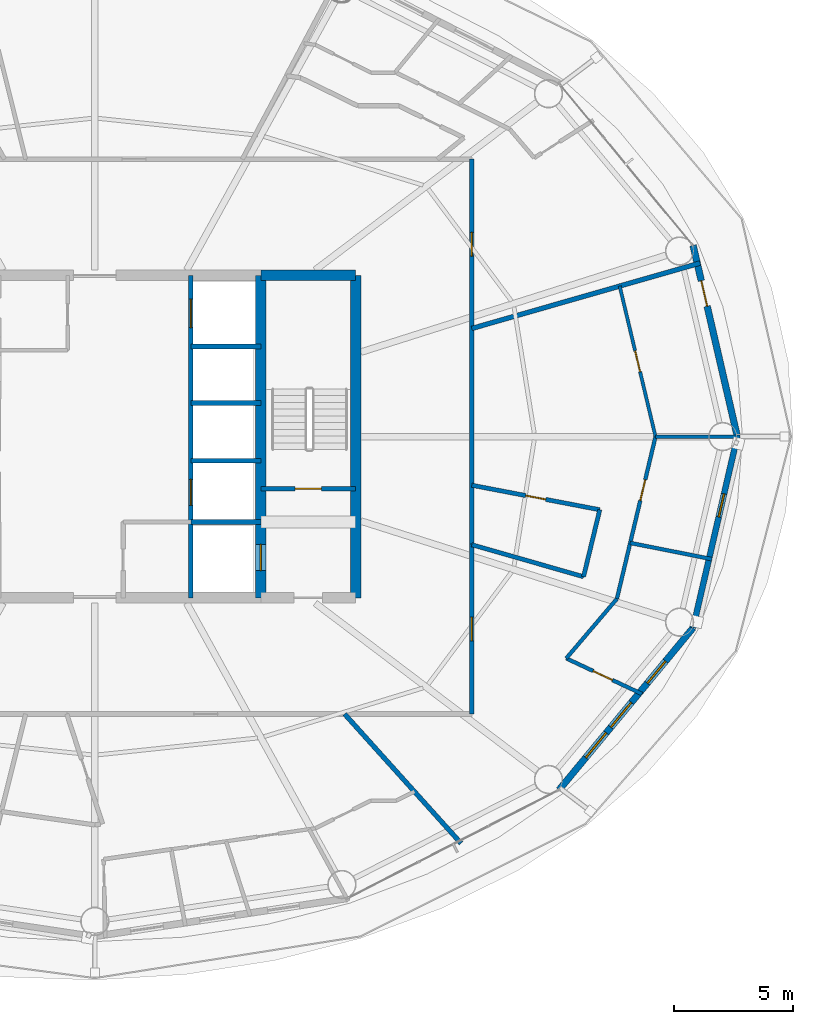
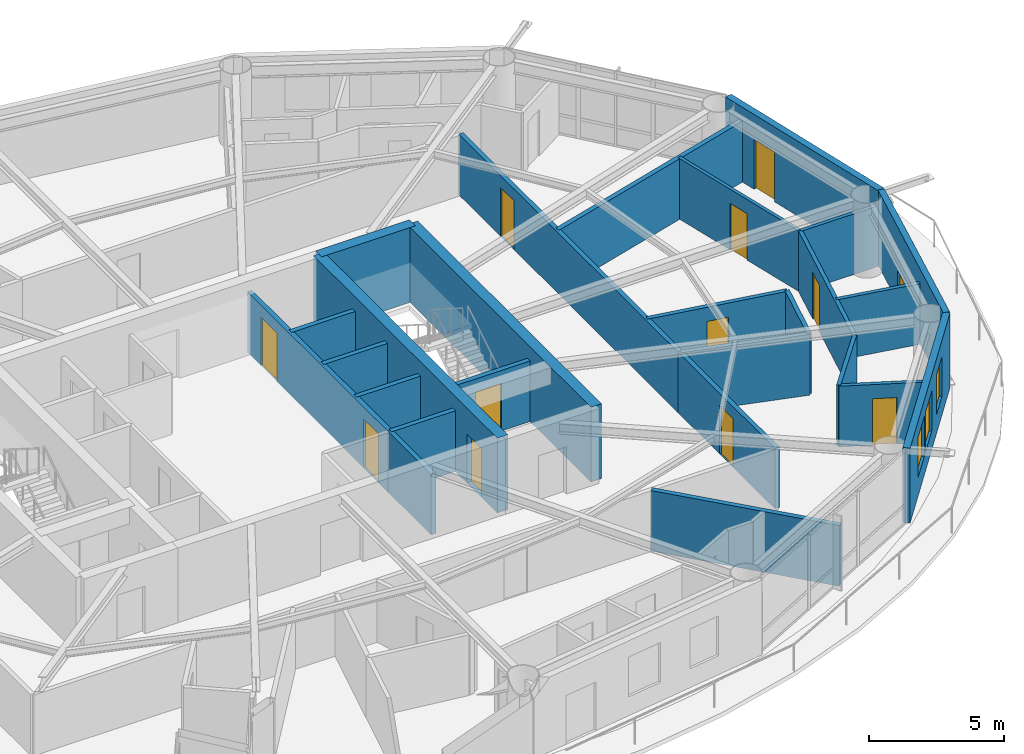
# One storey, part 23 of 28: 26 walls, 11 doors, 4 windows, 15 openings.
"""IFC4 building model written with IfcOpenShell, lengths in metres."""

import ifcopenshell
import ifcopenshell.guid

model = None  # the IFC model being written
_history = None  # IfcOwnerHistory: only IFC2X3 demands one
_inside = {}  # id of a spatial element -> (the spatial element, [elements in it])
_under = {}  # id of a project, library or spatial element -> (it, [spatial elements below it])
_declared = {}  # id of a project -> (the project, [libraries it declares])
_typed = {}  # id of a type object -> (the type object, [elements of that type])
_made_of = {}  # id of a material, layer set ... -> (it, [elements and type objects made of it])


def new_model(schema):
    """Start an empty IFC model of exactly this schema.

    Asked for "IFC4X3", IfcOpenShell would pick the latest addendum, in which some entities
    have other attributes; the version numbers below select the first issue.
    IFC2X3 requires an IfcOwnerHistory on every rooted entity: one is made here for all.
    """
    global model, _history
    if schema == "IFC4X3":
        model = ifcopenshell.file(schema_version=(4, 3, 0, 0))
    else:
        model = ifcopenshell.file(schema=schema)
    _inside.clear()
    _under.clear()
    _declared.clear()
    _typed.clear()
    _made_of.clear()
    _history = None
    if model.schema == "IFC2X3":
        org = make("IfcOrganization", Name="unknown")
        user = make(
            "IfcPersonAndOrganization",
            ThePerson=make("IfcPerson", FamilyName="unknown"),
            TheOrganization=org,
        )
        app = make(
            "IfcApplication",
            ApplicationDeveloper=org,
            Version="unknown",
            ApplicationFullName="unknown",
            ApplicationIdentifier="unknown",
        )
        _history = make(
            "IfcOwnerHistory",
            OwningUser=user,
            OwningApplication=app,
            ChangeAction="ADDED",
            CreationDate=0,
        )
    return model


def make(cls, **values):
    """One entity of the class cls with the attributes given. An attribute that is None is left unset."""
    return model.create_entity(
        cls, **{name: value for name, value in values.items() if value is not None}
    )


def rooted(cls, **values):
    """An entity with a GlobalId (a new one), such as an element, a storey or a relation."""
    return make(cls, GlobalId=ifcopenshell.guid.new(), OwnerHistory=_history, **values)


def si_unit(unit_type, name, prefix=None):
    """IfcSIUnit, for example si_unit("LENGTHUNIT", "METRE", prefix="MILLI")."""
    return make("IfcSIUnit", UnitType=unit_type, Prefix=prefix, Name=name)


def assignment(units):
    """IfcUnitAssignment: the units of a project."""
    return None if units is None else make("IfcUnitAssignment", Units=units)


def point(xyz):
    """IfcCartesianPoint."""
    return None if xyz is None else make("IfcCartesianPoint", Coordinates=xyz)


def direction(xyz):
    """IfcDirection."""
    return None if xyz is None else make("IfcDirection", DirectionRatios=xyz)


def frame(location, z_axis=None, x_axis=None):
    """IfcAxis2Placement3D, a coordinate frame: its origin and axes. An axis left out is left unset."""
    return make(
        "IfcAxis2Placement3D",
        Location=point(location),
        Axis=direction(z_axis),
        RefDirection=direction(x_axis),
    )


def frame_2d(location, x_axis=None):
    """IfcAxis2Placement2D, a coordinate frame in the plane: its origin and x axis."""
    return make(
        "IfcAxis2Placement2D", Location=point(location), RefDirection=direction(x_axis)
    )


def origin():
    """The frame at (0, 0, 0) with its axes left unset."""
    return frame((0.0, 0.0, 0.0))


def place(relative_to, where):
    """IfcLocalPlacement: puts the frame where relative to a parent placement (None: the world)."""
    return make(
        "IfcLocalPlacement", PlacementRelTo=relative_to, RelativePlacement=where
    )


def context(
    kind, dimensions, precision=None, world=None, true_north=None, identifier=None
):
    """IfcGeometricRepresentationContext, for example the 3D "Model" context."""
    return make(
        "IfcGeometricRepresentationContext",
        ContextIdentifier=identifier,
        ContextType=kind,
        CoordinateSpaceDimension=dimensions,
        Precision=precision,
        WorldCoordinateSystem=world,
        TrueNorth=true_north,
    )


def subcontext(parent, identifier, kind, view, scale=None):
    """IfcGeometricRepresentationSubContext, for example "Body" below "Model"."""
    return make(
        "IfcGeometricRepresentationSubContext",
        ContextIdentifier=identifier,
        ContextType=kind,
        ParentContext=parent,
        TargetScale=scale,
        TargetView=view,
    )


def project(units=None, contexts=None):
    """IfcProject with its units and contexts."""
    return rooted(
        "IfcProject",
        Name="project",
        RepresentationContexts=contexts,
        UnitsInContext=assignment(units),
    )


def spatial(cls, under=None, at=None, **own):
    """A site, building, storey or space (cls), placed at a placement, below another one or the project."""
    s = rooted(cls, ObjectPlacement=at, **own)
    if under is not None:
        _under.setdefault(under.id(), (under, []))[1].append(s)
    return s


def profile(cls, at=None, kind="AREA", **sizes):
    """A parametric profile (cls). Its sizes go by their IFC names, for example OverallWidth=200.0."""
    return make(cls, ProfileType=kind, Position=at, **sizes)


def rectangle(**sizes):
    """IfcRectangleProfileDef."""
    return profile("IfcRectangleProfileDef", **sizes)


def extrude(swept, where, along, depth):
    """IfcExtrudedAreaSolid: the profile swept, set in the frame where, extruded along a direction by depth."""
    return make(
        "IfcExtrudedAreaSolid",
        SweptArea=swept,
        Position=where,
        ExtrudedDirection=direction(along),
        Depth=depth,
    )


def shape(context_of_items, identifier, shape_type, items):
    """IfcShapeRepresentation: the items that make up one representation, for example the "Body"."""
    return make(
        "IfcShapeRepresentation",
        ContextOfItems=context_of_items,
        RepresentationIdentifier=identifier,
        RepresentationType=shape_type,
        Items=items,
    )


def material(Name=None, Category=None):
    """IfcMaterial."""
    return make("IfcMaterial", Name=Name, Category=Category)


def layer(
    of_material, thickness, ventilated=None, Name=None, Category=None, Priority=None
):
    """IfcMaterialLayer: one layer of a wall or slab, of a material (None: an air gap)."""
    return make(
        "IfcMaterialLayer",
        Material=of_material,
        LayerThickness=thickness,
        IsVentilated=ventilated,
        Name=Name,
        Category=Category,
        Priority=Priority,
    )


def layer_set(layers, Name=None):
    """IfcMaterialLayerSet."""
    return make("IfcMaterialLayerSet", MaterialLayers=layers, LayerSetName=Name)


def made_of(thing, what):
    """Note that an element or type object is made of a material, layer set ...; save() writes the relation."""
    if what is not None:
        _made_of.setdefault(what.id(), (what, []))[1].append(thing)
    return thing


def type_object(cls, material=None, **own):
    """A type object (cls), such as IfcWallType, which elements share."""
    return made_of(rooted(cls, **own), material)


def element(
    cls,
    number,
    at=None,
    inside=None,
    cuts=None,
    type_object=None,
    material=None,
    context=None,
    identifier="Body",
    shape_type=None,
    held_by="IfcProductDefinitionShape",
    body=None,
    shapes=None,
    **own,
):
    """One element of the class cls, such as IfcWall. Its Tag is "e" and its number.

    at: its placement. inside: the storey or other place that contains it. cuts: it is an
    opening in that element (IfcRelVoidsElement). A single representation is given by context,
    identifier, shape_type and body (its items); several are given by shapes. held_by: the class
    of the entity that holds the representations. save() writes the other relations.
    """
    e = rooted(cls, Tag="e%d" % number, ObjectPlacement=at, **own)
    if body is not None:
        shapes = [shape(context, identifier, shape_type, body)]
    if shapes is not None:
        e.Representation = make(held_by, Representations=shapes)
    if inside is not None:
        _inside.setdefault(inside.id(), (inside, []))[1].append(e)
    if cuts is not None:
        rooted(
            "IfcRelVoidsElement", RelatingBuildingElement=cuts, RelatedOpeningElement=e
        )
    if type_object is not None:
        _typed.setdefault(type_object.id(), (type_object, []))[1].append(e)
    return made_of(e, material)


def fill(opening, filler):
    """IfcRelFillsElement: the door or window that sits in an opening."""
    return rooted(
        "IfcRelFillsElement",
        RelatingOpeningElement=opening,
        RelatedBuildingElement=filler,
    )


def aggregate(whole, parts):
    """IfcRelAggregates: a whole, such as a stair, and the parts it consists of."""
    return rooted("IfcRelAggregates", RelatingObject=whole, RelatedObjects=parts)


def save(model, path):
    """Write the relations noted so far, then the file.

    IfcRelAggregates (storeys below a building ...), IfcRelContainedInSpatialStructure (elements
    in a storey), IfcRelDefinesByType, IfcRelAssociatesMaterial and IfcRelDeclares: one each for
    every whole, place, type object, material and project.
    """
    for whole, parts in _under.values():
        aggregate(whole, parts)
    for where, things in _inside.values():
        rooted(
            "IfcRelContainedInSpatialStructure",
            RelatedElements=things,
            RelatingStructure=where,
        )
    for kind, things in _typed.values():
        rooted("IfcRelDefinesByType", RelatedObjects=things, RelatingType=kind)
    for what, things in _made_of.values():
        rooted("IfcRelAssociatesMaterial", RelatedObjects=things, RelatingMaterial=what)
    for by, libraries in _declared.values():
        rooted("IfcRelDeclares", RelatingContext=by, RelatedDefinitions=libraries)
    model.write(path)


model = new_model("IFC4")

# Units and contexts
model_context = context("Model", 3, precision=1e-05, world=origin(), true_north=direction((0.0, 1.0)))
body_context = subcontext(model_context, "Body", "Model", "MODEL_VIEW")
ifc_project = project(units=[si_unit("LENGTHUNIT", "METRE"), si_unit("AREAUNIT", "SQUARE_METRE"), si_unit("VOLUMEUNIT", "CUBIC_METRE"), si_unit("PLANEANGLEUNIT", "RADIAN"), si_unit("MASSUNIT", "GRAM", prefix="KILO")], contexts=[model_context])

# Site, building, storey
site_placement = place(None, origin())
site = spatial("IfcSite", under=ifc_project, at=site_placement, CompositionType="ELEMENT")
building_placement = place(site_placement, origin())
building = spatial("IfcBuilding", under=site, at=building_placement, Name="Sarneth Arch Tower", CompositionType="ELEMENT")
storey_placement = place(building_placement, frame((0.0, 0.0, 183.0)))
storey = spatial("IfcBuildingStorey", under=building, at=storey_placement, Name="L46", CompositionType="ELEMENT", Elevation=183.0)

# Walls
ifc_material_1 = material(Name="Concrete C50/60", Category="concrete")
ifc_layer_1 = layer(ifc_material_1, 0.449951171875)
ifc_layer_set_1 = layer_set([ifc_layer_1], Name="Concrete C50/60")
wall_type_1 = type_object("IfcWallType", Name="WALL-CORE-450", PredefinedType="SHEAR", material=ifc_layer_set_1)
wall_1_placement = place(storey_placement, frame((55.0, 48.800048828125, 0.0), z_axis=(0.0, 0.0, 1.0), x_axis=(1.0, 0.0, 0.0)))
element("IfcWall", 1, at=wall_1_placement, inside=storey, type_object=wall_type_1, Name="L46 Core shear wall N-E", PredefinedType="SHEAR", context=body_context, shape_type="SweptSolid", body=[
    extrude(rectangle(XDim=4.0, YDim=0.449951171875, at=frame_2d((2.0, 0.0))), origin(), (0.0, 0.0, 1.0), 3.3798828125),
])
wall_2_placement = place(storey_placement, frame((59.0, 35.199951171875, 0.0), z_axis=(0.0, 0.0, 1.0), x_axis=(0.0, 1.0, 0.0)))
element("IfcWall", 2, at=wall_2_placement, inside=storey, type_object=wall_type_1, Name="L46 Core shear wall E", PredefinedType="SHEAR", context=body_context, shape_type="SweptSolid", body=[
    extrude(rectangle(XDim=13.60009765625, YDim=0.449951171875, at=frame_2d((6.800048828125, 0.0))), origin(), (0.0, 0.0, 1.0), 3.3798828125),
])

# Wall, opening, door
wall_3_placement = place(storey_placement, frame((55.0, 35.199951171875, 0.0), z_axis=(0.0, 0.0, 1.0), x_axis=(0.0, 1.0, 0.0)))
wall_3 = element("IfcWall", 3, at=wall_3_placement, inside=storey, type_object=wall_type_1, Name="L46 Core shear wall WEB-E", PredefinedType="SHEAR", context=body_context, shape_type="SweptSolid", body=[
    extrude(rectangle(XDim=13.60009765625, YDim=0.449951171875, at=frame_2d((6.800048828125, 0.0))), origin(), (0.0, 0.0, 1.0), 3.3798828125),
])
opening_1_placement = place(wall_3_placement, frame((1.14990234375, 0.0, 0.0)))
opening_1 = element("IfcOpeningElement", 4, at=opening_1_placement, cuts=wall_3, Name="Opening LD-1", PredefinedType="OPENING", context=body_context, shape_type="SweptSolid", body=[
    extrude(rectangle(XDim=1.10009765625, YDim=2.199951171875, at=frame_2d((0.550048828125, 1.10009765625))), frame((0.0, 0.23486328125, 0.0), z_axis=(0.0, -1.0, 0.0), x_axis=(1.0, 0.0, 0.0)), (0.0, 0.0, 1.0), 0.469970703125),
])
ifc_material_2 = material(Name="Brushed Stainless Steel 304 lift landing door", Category="steel")
door_type_1 = type_object("IfcDoorType", Name="DR-LIFT-SLIDE-1100", OperationType="SLIDING_TO_LEFT", PredefinedType="DOOR", material=ifc_material_2)
door_1_placement = place(opening_1_placement, origin())
door_1 = element("IfcDoor", 5, at=door_1_placement, inside=storey, type_object=door_type_1, Name="L46 Firefighting lift landing door FL-2", OperationType="SLIDING_TO_RIGHT", OverallHeight=2.199951171875, OverallWidth=1.10009765625, PredefinedType="DOOR", context=body_context, shape_type="SweptSolid", body=[
    extrude(rectangle(XDim=1.10009765625, YDim=2.199951171875, at=frame_2d((0.550048828125, 1.10009765625))), frame((0.0, 0.02490234375, 0.0), z_axis=(0.0, -1.0, 0.0), x_axis=(1.0, 0.0, 0.0)), (0.0, 0.0, 1.0), 0.050048828125),
])
fill(opening_1, door_1)

ifc_material_3 = material(Name="Double steel-stud corridor fire wall", Category="steel")
ifc_layer_2 = layer(ifc_material_3, 0.18994140625)
ifc_layer_set_2 = layer_set([ifc_layer_2], Name="Double steel-stud corridor fire wall")
wall_type_2 = type_object("IfcWallType", Name="WALL-CORR-190", PredefinedType="PARTITIONING", material=ifc_layer_set_2)
wall_4_placement = place(storey_placement, frame((63.89990234375, 53.699951171875, 0.0), z_axis=(0.0, 0.0, 1.0), x_axis=(0.0, -1.0, 0.0)))
wall_4 = element("IfcWall", 6, at=wall_4_placement, inside=storey, type_object=wall_type_2, Name="L46 Interior partition W-L46-TP-002", PredefinedType="PARTITIONING", context=body_context, shape_type="SweptSolid", body=[
    extrude(rectangle(XDim=16.29248046875, YDim=0.18994140625, at=frame_2d((8.146240234375, 0.0))), origin(), (0.0, 0.0, 1.0), 2.739990234375),
])
opening_2_placement = place(wall_4_placement, frame((3.0869140625, 0.0, 0.0)))
opening_2 = element("IfcOpeningElement", 7, at=opening_2_placement, cuts=wall_4, Name="Opening FD-08", PredefinedType="OPENING", context=body_context, shape_type="SweptSolid", body=[
    extrude(rectangle(XDim=1.0, YDim=2.199951171875, at=frame_2d((0.5, 1.10009765625))), frame((0.0, 0.10498046875, 0.0), z_axis=(0.0, -1.0, 0.0), x_axis=(1.0, 0.0, 0.0)), (0.0, 0.0, 1.0), 0.2099609375),
])
ifc_material_4 = material(Name="Hardwood timber acoustic fire door", Category="wood")
door_type_2 = type_object("IfcDoorType", Name="DR-FD60-1000", OperationType="SINGLE_SWING_LEFT", PredefinedType="DOOR", material=ifc_material_4)
door_2_placement = place(opening_2_placement, origin())
door_2 = element("IfcDoor", 8, at=door_2_placement, inside=storey, type_object=door_type_2, Name="L46 Interior door DR-L46-U1-ENT", OperationType="SINGLE_SWING_LEFT", OverallHeight=2.199951171875, OverallWidth=1.0, PredefinedType="DOOR", context=body_context, shape_type="SweptSolid", body=[
    extrude(rectangle(XDim=1.0, YDim=2.199951171875, at=frame_2d((0.5, 1.10009765625))), frame((0.0, 0.02490234375, 0.0), z_axis=(0.0, -1.0, 0.0), x_axis=(1.0, 0.0, 0.0)), (0.0, 0.0, 1.0), 0.050048828125),
])
fill(opening_2, door_2)

wall_5_placement = place(storey_placement, frame((63.89990234375, 37.47412109375, 0.0), z_axis=(0.0, 0.0, 1.0), x_axis=(0.0, -1.0, 0.0)))
wall_5 = element("IfcWall", 9, at=wall_5_placement, inside=storey, type_object=wall_type_2, Name="L46 Interior partition W-L46-TP-018", PredefinedType="PARTITIONING", context=body_context, shape_type="SweptSolid", body=[
    extrude(rectangle(XDim=7.174072265625, YDim=0.18994140625, at=frame_2d((3.5869140625, 0.0))), origin(), (0.0, 0.0, 1.0), 2.739990234375),
])
opening_3_placement = place(wall_5_placement, frame((3.0869140625, 0.0, 0.0)))
opening_3 = element("IfcOpeningElement", 10, at=opening_3_placement, cuts=wall_5, Name="Opening FD-08", PredefinedType="OPENING", context=body_context, shape_type="SweptSolid", body=[
    extrude(rectangle(XDim=1.0, YDim=2.199951171875, at=frame_2d((0.5, 1.10009765625))), frame((0.0, 0.10498046875, 0.0), z_axis=(0.0, -1.0, 0.0), x_axis=(1.0, 0.0, 0.0)), (0.0, 0.0, 1.0), 0.2099609375),
])
door_3_placement = place(opening_3_placement, origin())
door_3 = element("IfcDoor", 11, at=door_3_placement, inside=storey, type_object=door_type_2, Name="L46 Interior door DR-L46-U7-ENT", OperationType="SINGLE_SWING_RIGHT", OverallHeight=2.199951171875, OverallWidth=1.0, PredefinedType="DOOR", context=body_context, shape_type="SweptSolid", body=[
    extrude(rectangle(XDim=1.0, YDim=2.199951171875, at=frame_2d((0.5, 1.10009765625))), frame((0.0, 0.02490234375, 0.0), z_axis=(0.0, -1.0, 0.0), x_axis=(1.0, 0.0, 0.0)), (0.0, 0.0, 1.0), 0.050048828125),
])
fill(opening_3, door_3)

# Wall, opening, window
ifc_material_5 = material(Name="Extruded terracotta rainscreen on Concrete C40/50 backing", Category="masonry")
ifc_layer_3 = layer(ifc_material_5, 0.25)
ifc_layer_set_3 = layer_set([ifc_layer_3], Name="Extruded terracotta rainscreen on Concrete C40/50 backing")
wall_type_3 = type_object("IfcWallType", Name="WALL-EXT-SPAND-250", PredefinedType="SOLIDWALL", material=ifc_layer_set_3)
wall_6_placement = place(storey_placement, frame((73.232421875, 33.93310546875, 0.0), z_axis=(0.0, 0.0, 1.0), x_axis=(0.225473184558, 0.974249374157, 0.0)))
wall_6 = element("IfcWall", 12, at=wall_6_placement, inside=storey, type_object=wall_type_3, Name="L46 Terracotta perimeter wall 16", PredefinedType="SOLIDWALL", context=body_context, shape_type="SweptSolid", body=[
    extrude(rectangle(XDim=8.280029296875, YDim=0.25, at=frame_2d((4.14013671875, 0.0))), origin(), (0.0, 0.0, 1.0), 3.3798828125),
])
opening_4_placement = place(wall_6_placement, frame((4.80078125, 0.0, 0.35009765625)))
opening_4 = element("IfcOpeningElement", 13, at=opening_4_placement, cuts=wall_6, Name="Opening W-14", PredefinedType="OPENING", context=body_context, shape_type="SweptSolid", body=[
    extrude(rectangle(XDim=1.0, YDim=1.050048828125, at=frame_2d((0.5, 0.52490234375))), frame((0.0, 0.135009765625, 0.0), z_axis=(0.0, -1.0, 0.0), x_axis=(1.0, 0.0, 0.0)), (0.0, 0.0, 1.0), 0.27001953125),
])
ifc_material_6 = material(Name="Thermally broken Aluminium 6063-T6 and low-e laminated IGU", Category="aluminium")
window_type_1 = type_object("IfcWindowType", Name="WIN-TWR-1000x1050", PartitioningType="SINGLE_PANEL", PredefinedType="WINDOW", material=ifc_material_6)
window_1_placement = place(opening_4_placement, origin())
window_1 = element("IfcWindow", 14, at=window_1_placement, inside=storey, type_object=window_type_1, Name="L46 Dwelling bedroom window 04", OverallHeight=1.050048828125, OverallWidth=1.0, PartitioningType="SINGLE_PANEL", PredefinedType="WINDOW", context=body_context, shape_type="SweptSolid", body=[
    extrude(rectangle(XDim=1.0, YDim=1.050048828125, at=frame_2d((0.5, 0.52490234375))), frame((0.0, 0.030029296875, 0.0), z_axis=(0.0, -1.0, 0.0), x_axis=(1.0, 0.0, 0.0)), (0.0, 0.0, 1.0), 0.06005859375),
])
fill(opening_4, window_1)

# Wall, opening, door
ifc_material_7 = material(Name="Extruded terracotta rainscreen on Concrete C40/50 backing", Category="masonry")
ifc_layer_4 = layer(ifc_material_7, 0.280029296875)
ifc_layer_set_4 = layer_set([ifc_layer_4], Name="Extruded terracotta rainscreen on Concrete C40/50 backing")
wall_type_4 = type_object("IfcWallType", Name="WALL-EXT-TERRA-280", PredefinedType="SOLIDWALL", material=ifc_layer_set_4)
wall_7_placement = place(storey_placement, frame((75.099365234375, 42.0, 0.0), z_axis=(0.0, 0.0, 1.0), x_axis=(-0.225473184558, 0.974249374157, 0.0)))
wall_7 = element("IfcWall", 15, at=wall_7_placement, inside=storey, type_object=wall_type_4, Name="L46 Terracotta perimeter wall 01", PredefinedType="SOLIDWALL", context=body_context, shape_type="SweptSolid", body=[
    extrude(rectangle(XDim=8.280029296875, YDim=0.280029296875, at=frame_2d((4.14013671875, 0.0))), origin(), (0.0, 0.0, 1.0), 3.3798828125),
])
opening_5_placement = place(wall_7_placement, frame((5.643798828125, 0.0, 0.0)))
opening_5 = element("IfcOpeningElement", 16, at=opening_5_placement, cuts=wall_7, Name="Opening BD-3", PredefinedType="OPENING", context=body_context, shape_type="SweptSolid", body=[
    extrude(rectangle(XDim=1.10009765625, YDim=2.25, at=frame_2d((0.550048828125, 1.125))), frame((0.0, 0.14990234375, 0.0), z_axis=(0.0, -1.0, 0.0), x_axis=(1.0, 0.0, 0.0)), (0.0, 0.0, 1.0), 0.300048828125),
])
ifc_material_8 = material(Name="Thermally broken Aluminium 6063-T6 and laminated safety glass", Category="aluminium")
door_type_3 = type_object("IfcDoorType", Name="DR-BALC-GLZ-1100", OperationType="SINGLE_SWING_LEFT", PredefinedType="DOOR", material=ifc_material_8)
door_4_placement = place(opening_5_placement, origin())
door_4 = element("IfcDoor", 17, at=door_4_placement, inside=storey, type_object=door_type_3, Name="L46 Balcony glazed door 01", OperationType="SINGLE_SWING_LEFT", OverallHeight=2.25, OverallWidth=1.10009765625, PredefinedType="DOOR", context=body_context, shape_type="SweptSolid", body=[
    extrude(rectangle(XDim=1.10009765625, YDim=2.25, at=frame_2d((0.550048828125, 1.125))), frame((0.0, 0.02490234375, 0.0), z_axis=(0.0, -1.0, 0.0), x_axis=(1.0, 0.0, 0.0)), (0.0, 0.0, 1.0), 0.050048828125),
])
fill(opening_5, door_4)

# Wall, openings, windows
wall_8_placement = place(storey_placement, frame((67.576171875, 27.09423828125, 0.0), z_axis=(0.0, 0.0, 1.0), x_axis=(0.637333477683, 0.770588111915, 0.0)))
wall_8 = element("IfcWall", 18, at=wall_8_placement, inside=storey, type_object=wall_type_4, Name="L46 Terracotta perimeter wall 15", PredefinedType="SOLIDWALL", context=body_context, shape_type="SweptSolid", body=[
    extrude(rectangle(XDim=8.874755859375, YDim=0.280029296875, at=frame_2d((4.4375, 0.0))), origin(), (0.0, 0.0, 1.0), 3.3798828125),
])
opening_6_placement = place(wall_8_placement, frame((1.775146484375, 0.0, 0.85009765625)))
opening_6 = element("IfcOpeningElement", 19, at=opening_6_placement, cuts=wall_8, Name="Opening W-08", PredefinedType="OPENING", context=body_context, shape_type="SweptSolid", body=[
    extrude(rectangle(XDim=1.35009765625, YDim=1.800048828125, at=frame_2d((0.675048828125, 0.89990234375))), frame((0.0, 0.14990234375, 0.0), z_axis=(0.0, -1.0, 0.0), x_axis=(1.0, 0.0, 0.0)), (0.0, 0.0, 1.0), 0.300048828125),
])
opening_7_placement = place(wall_8_placement, frame((3.43896484375, 0.0, 0.85009765625)))
opening_7 = element("IfcOpeningElement", 20, at=opening_7_placement, cuts=wall_8, Name="Opening W-08", PredefinedType="OPENING", context=body_context, shape_type="SweptSolid", body=[
    extrude(rectangle(XDim=1.35009765625, YDim=1.800048828125, at=frame_2d((0.675048828125, 0.89990234375))), frame((0.0, 0.14990234375, 0.0), z_axis=(0.0, -1.0, 0.0), x_axis=(1.0, 0.0, 0.0)), (0.0, 0.0, 1.0), 0.300048828125),
])
opening_8_placement = place(wall_8_placement, frame((5.85009765625, 0.0, 0.85009765625)))
opening_8 = element("IfcOpeningElement", 21, at=opening_8_placement, cuts=wall_8, Name="Opening W-09", PredefinedType="OPENING", context=body_context, shape_type="SweptSolid", body=[
    extrude(rectangle(XDim=1.199951171875, YDim=1.800048828125, at=frame_2d((0.60009765625, 0.89990234375))), frame((0.0, 0.14990234375, 0.0), z_axis=(0.0, -1.0, 0.0), x_axis=(1.0, 0.0, 0.0)), (0.0, 0.0, 1.0), 0.300048828125),
])
ifc_material_9 = material(Name="Thermally broken Aluminium 6063-T6 and low-e laminated IGU", Category="aluminium")
window_type_2 = type_object("IfcWindowType", Name="WIN-TWR-1200x1800", PartitioningType="SINGLE_PANEL", PredefinedType="WINDOW", material=ifc_material_9)
window_2_placement = place(opening_8_placement, origin())
window_2 = element("IfcWindow", 22, at=window_2_placement, inside=storey, type_object=window_type_2, Name="L46 Exterior window 15C", OverallHeight=1.800048828125, OverallWidth=1.199951171875, PartitioningType="SINGLE_PANEL", PredefinedType="WINDOW", context=body_context, shape_type="SweptSolid", body=[
    extrude(rectangle(XDim=1.199951171875, YDim=1.800048828125, at=frame_2d((0.60009765625, 0.89990234375))), frame((0.0, 0.030029296875, 0.0), z_axis=(0.0, -1.0, 0.0), x_axis=(1.0, 0.0, 0.0)), (0.0, 0.0, 1.0), 0.06005859375),
])
fill(opening_8, window_2)
ifc_material_10 = material(Name="Thermally broken Aluminium 6063-T6 and low-e laminated IGU", Category="aluminium")
window_type_3 = type_object("IfcWindowType", Name="WIN-TWR-1350x1800", PartitioningType="SINGLE_PANEL", PredefinedType="WINDOW", material=ifc_material_10)
window_3_placement = place(opening_6_placement, origin())
window_3 = element("IfcWindow", 23, at=window_3_placement, inside=storey, type_object=window_type_3, Name="L46 Exterior window 15A", OverallHeight=1.800048828125, OverallWidth=1.35009765625, PartitioningType="SINGLE_PANEL", PredefinedType="WINDOW", context=body_context, shape_type="SweptSolid", body=[
    extrude(rectangle(XDim=1.35009765625, YDim=1.800048828125, at=frame_2d((0.675048828125, 0.89990234375))), frame((0.0, 0.030029296875, 0.0), z_axis=(0.0, -1.0, 0.0), x_axis=(1.0, 0.0, 0.0)), (0.0, 0.0, 1.0), 0.06005859375),
])
fill(opening_6, window_3)
window_4_placement = place(opening_7_placement, origin())
window_4 = element("IfcWindow", 24, at=window_4_placement, inside=storey, type_object=window_type_3, Name="L46 Exterior window 15B", OverallHeight=1.800048828125, OverallWidth=1.35009765625, PartitioningType="SINGLE_PANEL", PredefinedType="WINDOW", context=body_context, shape_type="SweptSolid", body=[
    extrude(rectangle(XDim=1.35009765625, YDim=1.800048828125, at=frame_2d((0.675048828125, 0.89990234375))), frame((0.0, 0.030029296875, 0.0), z_axis=(0.0, -1.0, 0.0), x_axis=(1.0, 0.0, 0.0)), (0.0, 0.0, 1.0), 0.06005859375),
])
fill(opening_7, window_4)

# Wall, opening, door
ifc_material_11 = material(Name="Apartment internal stud partition", Category="gypsum")
ifc_layer_5 = layer(ifc_material_11, 0.139892578125)
ifc_layer_set_5 = layer_set([ifc_layer_5], Name="Apartment internal stud partition")
wall_type_5 = type_object("IfcWallType", Name="WALL-PART-140", PredefinedType="PARTITIONING", material=ifc_layer_set_5)
wall_9_placement = place(storey_placement, frame((71.648681640625, 42.0, 0.0), z_axis=(0.0, 0.0, 1.0), x_axis=(-0.231639074409, 0.972801798522, 0.0)))
wall_9 = element("IfcWall", 25, at=wall_9_placement, inside=storey, type_object=wall_type_5, Name="L46 Interior partition W-L46-TP-095", PredefinedType="PARTITIONING", context=body_context, shape_type="SweptSolid", body=[
    extrude(rectangle(XDim=6.525146484375, YDim=0.139892578125, at=frame_2d((3.2626953125, 0.0))), origin(), (0.0, 0.0, 1.0), 2.739990234375),
])
opening_9_placement = place(wall_9_placement, frame((2.8125, 0.0, 0.0)))
opening_9 = element("IfcOpeningElement", 26, at=opening_9_placement, cuts=wall_9, Name="Opening ID-01", PredefinedType="OPENING", context=body_context, shape_type="SweptSolid", body=[
    extrude(rectangle(XDim=0.89990234375, YDim=2.10009765625, at=frame_2d((0.449951171875, 1.050048828125))), frame((0.0, 0.079833984375, 0.0), z_axis=(0.0, -1.0, 0.0), x_axis=(1.0, 0.0, 0.0)), (0.0, 0.0, 1.0), 0.159912109375),
])
ifc_material_12 = material(Name="Engineered hardwood flush door", Category="wood")
door_type_4 = type_object("IfcDoorType", Name="DR-INT-900", OperationType="SINGLE_SWING_LEFT", PredefinedType="DOOR", material=ifc_material_12)
door_5_placement = place(opening_9_placement, origin())
door_5 = element("IfcDoor", 27, at=door_5_placement, inside=storey, type_object=door_type_4, Name="L46 Interior door DR-L46-U7-BED2", OperationType="SINGLE_SWING_LEFT", OverallHeight=2.10009765625, OverallWidth=0.89990234375, PredefinedType="DOOR", context=body_context, shape_type="SweptSolid", body=[
    extrude(rectangle(XDim=0.89990234375, YDim=2.10009765625, at=frame_2d((0.449951171875, 1.050048828125))), frame((0.0, 0.02490234375, 0.0), z_axis=(0.0, -1.0, 0.0), x_axis=(1.0, 0.0, 0.0)), (0.0, 0.0, 1.0), 0.050048828125),
])
fill(opening_9, door_5)

# Wall
ifc_material_13 = material(Name="Acoustic gypsum stud partition", Category="gypsum")
ifc_layer_6 = layer(ifc_material_13, 0.14990234375)
ifc_layer_set_6 = layer_set([ifc_layer_6], Name="Acoustic gypsum stud partition")
wall_type_6 = type_object("IfcWallType", Name="WALL-PART-150", PredefinedType="PARTITIONING", material=ifc_layer_set_6)
wall_10_placement = place(storey_placement, frame((75.219482421875, 42.0, 0.0), z_axis=(0.0, 0.0, 1.0), x_axis=(-1.0, 0.0, 0.0)))
element("IfcWall", 28, at=wall_10_placement, inside=storey, type_object=wall_type_6, Name="L46 Interior partition W-L46-TP-097", PredefinedType="PARTITIONING", context=body_context, shape_type="SweptSolid", body=[
    extrude(rectangle(XDim=3.57080078125, YDim=0.14990234375, at=frame_2d((1.785400390625, 0.0))), origin(), (0.0, 0.0, 1.0), 2.739990234375),
])

# Wall, opening, door
ifc_material_14 = material(Name="Kitchen wet service chase wall", Category="gypsum")
ifc_layer_7 = layer(ifc_material_14, 0.159912109375)
ifc_layer_set_7 = layer_set([ifc_layer_7], Name="Kitchen wet service chase wall")
wall_type_7 = type_object("IfcWallType", Name="WALL-PLUMB-160", PredefinedType="PLUMBINGWALL", material=ifc_layer_set_7)
wall_11_placement = place(storey_placement, frame((71.648681640625, 42.0, 0.0), z_axis=(0.0, 0.0, 1.0), x_axis=(-0.231625219966, -0.972805097373, 0.0)))
wall_11 = element("IfcWall", 29, at=wall_11_placement, inside=storey, type_object=wall_type_7, Name="L46 Interior partition W-L46-TP-094", PredefinedType="PLUMBINGWALL", context=body_context, shape_type="SweptSolid", body=[
    extrude(rectangle(XDim=7.033447265625, YDim=0.159912109375, at=frame_2d((3.5166015625, 0.0))), origin(), (0.0, 0.0, 1.0), 2.739990234375),
])
opening_10_placement = place(wall_11_placement, frame((1.87109375, 0.0, 0.0)))
opening_10 = element("IfcOpeningElement", 30, at=opening_10_placement, cuts=wall_11, Name="Opening ID-01", PredefinedType="OPENING", context=body_context, shape_type="SweptSolid", body=[
    extrude(rectangle(XDim=0.89990234375, YDim=2.10009765625, at=frame_2d((0.449951171875, 1.050048828125))), frame((0.0, 0.08984375, 0.0), z_axis=(0.0, -1.0, 0.0), x_axis=(1.0, 0.0, 0.0)), (0.0, 0.0, 1.0), 0.179931640625),
])
door_6_placement = place(opening_10_placement, origin())
door_6 = element("IfcDoor", 31, at=door_6_placement, inside=storey, type_object=door_type_4, Name="L46 Interior door DR-L46-U7-BED1", OperationType="SINGLE_SWING_RIGHT", OverallHeight=2.10009765625, OverallWidth=0.89990234375, PredefinedType="DOOR", context=body_context, shape_type="SweptSolid", body=[
    extrude(rectangle(XDim=0.89990234375, YDim=2.10009765625, at=frame_2d((0.449951171875, 1.050048828125))), frame((0.0, 0.02490234375, 0.0), z_axis=(0.0, -1.0, 0.0), x_axis=(1.0, 0.0, 0.0)), (0.0, 0.0, 1.0), 0.050048828125),
])
fill(opening_10, door_6)

wall_12_placement = place(storey_placement, frame((67.88330078125, 32.647216796875, 0.0), z_axis=(0.0, 0.0, 1.0), x_axis=(0.904904903403, -0.425613810628, 0.0)))
wall_12 = element("IfcWall", 32, at=wall_12_placement, inside=storey, type_object=wall_type_7, Name="L46 Interior partition W-L46-TP-090", PredefinedType="PLUMBINGWALL", context=body_context, shape_type="SweptSolid", body=[
    extrude(rectangle(XDim=3.529541015625, YDim=0.159912109375, at=frame_2d((1.7646484375, 0.0))), origin(), (0.0, 0.0, 1.0), 2.739990234375),
])
opening_11_placement = place(wall_12_placement, frame((1.2548828125, 0.0, 0.0)))
opening_11 = element("IfcOpeningElement", 33, at=opening_11_placement, cuts=wall_12, Name="Opening ID-01", PredefinedType="OPENING", context=body_context, shape_type="SweptSolid", body=[
    extrude(rectangle(XDim=0.89990234375, YDim=2.10009765625, at=frame_2d((0.449951171875, 1.050048828125))), frame((0.0, 0.08984375, 0.0), z_axis=(0.0, -1.0, 0.0), x_axis=(1.0, 0.0, 0.0)), (0.0, 0.0, 1.0), 0.179931640625),
])
door_7_placement = place(opening_11_placement, origin())
door_7 = element("IfcDoor", 34, at=door_7_placement, inside=storey, type_object=door_type_4, Name="L46 Interior door DR-L46-U7-KIT", OperationType="SINGLE_SWING_RIGHT", OverallHeight=2.10009765625, OverallWidth=0.89990234375, PredefinedType="DOOR", context=body_context, shape_type="SweptSolid", body=[
    extrude(rectangle(XDim=0.89990234375, YDim=2.10009765625, at=frame_2d((0.449951171875, 1.050048828125))), frame((0.0, 0.02490234375, 0.0), z_axis=(0.0, -1.0, 0.0), x_axis=(1.0, 0.0, 0.0)), (0.0, 0.0, 1.0), 0.050048828125),
])
fill(opening_11, door_7)

# Walls
wall_13_placement = place(storey_placement, frame((74.026123046875, 36.83056640625, 0.0), z_axis=(0.0, 0.0, 1.0), x_axis=(-0.980839121604, 0.194819448544, 0.0)))
element("IfcWall", 35, at=wall_13_placement, inside=storey, type_object=wall_type_7, Name="L46 Interior partition W-L46-TP-096", PredefinedType="PLUMBINGWALL", context=body_context, shape_type="SweptSolid", body=[
    extrude(rectangle(XDim=3.5126953125, YDim=0.159912109375, at=frame_2d((1.75634765625, 0.0))), origin(), (0.0, 0.0, 1.0), 2.739990234375),
])
wall_14_placement = place(storey_placement, frame((70.01953125, 35.15771484375, 0.0), z_axis=(0.0, 0.0, 1.0), x_axis=(-0.648054655451, -0.761593831086, 0.0)))
element("IfcWall", 36, at=wall_14_placement, inside=storey, type_object=wall_type_7, Name="L46 Interior partition W-L46-TP-089", PredefinedType="PLUMBINGWALL", context=body_context, shape_type="SweptSolid", body=[
    extrude(rectangle(XDim=3.29638671875, YDim=0.159912109375, at=frame_2d((1.648193359375, 0.0))), origin(), (0.0, 0.0, 1.0), 2.739990234375),
])

# Wall, opening, door
ifc_material_15 = material(Name="Moisture-resistant plumbing chase wall", Category="gypsum")
ifc_layer_8 = layer(ifc_material_15, 0.179931640625)
ifc_layer_set_8 = layer_set([ifc_layer_8], Name="Moisture-resistant plumbing chase wall")
wall_type_8 = type_object("IfcWallType", Name="WALL-PLUMB-180", PredefinedType="PLUMBINGWALL", material=ifc_layer_set_8)
wall_15_placement = place(storey_placement, frame((69.297119140625, 38.91357421875, 0.0), z_axis=(0.0, 0.0, 1.0), x_axis=(-0.982108019882, 0.188318446478, 0.0)))
wall_15 = element("IfcWall", 37, at=wall_15_placement, inside=storey, type_object=wall_type_8, Name="L46 Interior partition W-L46-TP-093", PredefinedType="PLUMBINGWALL", context=body_context, shape_type="SweptSolid", body=[
    extrude(rectangle(XDim=5.49560546875, YDim=0.179931640625, at=frame_2d((2.747802734375, 0.0))), origin(), (0.0, 0.0, 1.0), 2.739990234375),
])
opening_12_placement = place(wall_15_placement, frame((2.32275390625, 0.0, 0.0)))
opening_12 = element("IfcOpeningElement", 38, at=opening_12_placement, cuts=wall_15, Name="Opening ID-02", PredefinedType="OPENING", context=body_context, shape_type="SweptSolid", body=[
    extrude(rectangle(XDim=0.85009765625, YDim=2.10009765625, at=frame_2d((0.425048828125, 1.050048828125))), frame((0.0, 0.099853515625, 0.0), z_axis=(0.0, -1.0, 0.0), x_axis=(1.0, 0.0, 0.0)), (0.0, 0.0, 1.0), 0.199951171875),
])
ifc_material_16 = material(Name="Moisture-resistant bathroom timber door", Category="wood")
door_type_5 = type_object("IfcDoorType", Name="DR-INT-850", OperationType="SINGLE_SWING_RIGHT", PredefinedType="DOOR", material=ifc_material_16)
door_8_placement = place(opening_12_placement, origin())
door_8 = element("IfcDoor", 39, at=door_8_placement, inside=storey, type_object=door_type_5, Name="L46 Interior door DR-L46-U7-BATH", OperationType="SINGLE_SWING_LEFT", OverallHeight=2.10009765625, OverallWidth=0.85009765625, PredefinedType="DOOR", context=body_context, shape_type="SweptSolid", body=[
    extrude(rectangle(XDim=0.85009765625, YDim=2.10009765625, at=frame_2d((0.425048828125, 1.050048828125))), frame((0.0, 0.02490234375, 0.0), z_axis=(0.0, -1.0, 0.0), x_axis=(1.0, 0.0, 0.0)), (0.0, 0.0, 1.0), 0.050048828125),
])
fill(opening_12, door_8)

# Walls
wall_16_placement = place(storey_placement, frame((63.89990234375, 37.440673828125, 0.0), z_axis=(0.0, 0.0, 1.0), x_axis=(0.961266088446, -0.27562203686, 0.0)))
element("IfcWall", 40, at=wall_16_placement, inside=storey, type_object=wall_type_8, Name="L46 Interior partition W-L46-TP-091", PredefinedType="PLUMBINGWALL", context=body_context, shape_type="SweptSolid", body=[
    extrude(rectangle(XDim=4.90283203125, YDim=0.179931640625, at=frame_2d((2.451416015625, 0.0))), origin(), (0.0, 0.0, 1.0), 2.739990234375),
])
wall_17_placement = place(storey_placement, frame((68.61279296875, 36.08935546875, 0.0), z_axis=(0.0, 0.0, 1.0), x_axis=(0.235491818528, 0.971876331334, 0.0)))
element("IfcWall", 41, at=wall_17_placement, inside=storey, type_object=wall_type_8, Name="L46 Interior partition W-L46-TP-092", PredefinedType="PLUMBINGWALL", context=body_context, shape_type="SweptSolid", body=[
    extrude(rectangle(XDim=2.906005859375, YDim=0.179931640625, at=frame_2d((1.453125, 0.0))), origin(), (0.0, 0.0, 1.0), 2.739990234375),
])

# Wall, opening, door
ifc_material_17 = material(Name="Aerated concrete blockwork C25/30", Category="masonry")
ifc_layer_9 = layer(ifc_material_17, 0.199951171875)
ifc_layer_set_9 = layer_set([ifc_layer_9], Name="Aerated concrete blockwork C25/30")
wall_type_9 = type_object("IfcWallType", Name="WALL-SHAFT-200", PredefinedType="SOLIDWALL", material=ifc_layer_set_9)
wall_18_placement = place(storey_placement, frame((55.0, 39.800048828125, 0.0), z_axis=(0.0, 0.0, 1.0), x_axis=(1.0, 0.0, 0.0)))
wall_18 = element("IfcWall", 42, at=wall_18_placement, inside=storey, type_object=wall_type_9, Name="L46 Interior partition W-L46-ST2-S", PredefinedType="SOLIDWALL", context=body_context, shape_type="SweptSolid", body=[
    extrude(rectangle(XDim=4.0, YDim=0.199951171875, at=frame_2d((2.0, 0.0))), origin(), (0.0, 0.0, 1.0), 2.739990234375),
])
opening_13_placement = place(wall_18_placement, frame((1.449951171875, 0.0, 0.0)))
opening_13 = element("IfcOpeningElement", 43, at=opening_13_placement, cuts=wall_18, Name="Opening FD-03", PredefinedType="OPENING", context=body_context, shape_type="SweptSolid", body=[
    extrude(rectangle(XDim=1.10009765625, YDim=2.14990234375, at=frame_2d((0.550048828125, 1.074951171875))), frame((0.0, 0.10986328125, 0.0), z_axis=(0.0, -1.0, 0.0), x_axis=(1.0, 0.0, 0.0)), (0.0, 0.0, 1.0), 0.219970703125),
])
ifc_material_18 = material(Name="Galvanised Steel S275 fire door set", Category="steel")
door_type_6 = type_object("IfcDoorType", Name="DR-FD90-1100", OperationType="SINGLE_SWING_LEFT", PredefinedType="DOOR", material=ifc_material_18)
door_9_placement = place(opening_13_placement, origin())
door_9 = element("IfcDoor", 44, at=door_9_placement, inside=storey, type_object=door_type_6, Name="L46 Interior door DR-L46-ST2", OperationType="SINGLE_SWING_RIGHT", OverallHeight=2.14990234375, OverallWidth=1.10009765625, PredefinedType="DOOR", context=body_context, shape_type="SweptSolid", body=[
    extrude(rectangle(XDim=1.10009765625, YDim=2.14990234375, at=frame_2d((0.550048828125, 1.074951171875))), frame((0.0, 0.02490234375, 0.0), z_axis=(0.0, -1.0, 0.0), x_axis=(1.0, 0.0, 0.0)), (0.0, 0.0, 1.0), 0.050048828125),
])
fill(opening_13, door_9)

# Walls
wall_19_placement = place(storey_placement, frame((52.050048828125, 35.199951171875, 0.0), z_axis=(0.0, 0.0, 1.0), x_axis=(0.0, 1.0, 0.0)))
element("IfcWall", 45, at=wall_19_placement, inside=storey, type_object=wall_type_9, Name="L46 Interior partition W-L46-FL2-W", PredefinedType="SOLIDWALL", context=body_context, shape_type="SweptSolid", body=[
    extrude(rectangle(XDim=3.199951171875, YDim=0.199951171875, at=frame_2d((1.60009765625, 0.0))), origin(), (0.0, 0.0, 1.0), 2.739990234375),
])
wall_20_placement = place(storey_placement, frame((52.050048828125, 38.39990234375, 0.0), z_axis=(0.0, 0.0, 1.0), x_axis=(1.0, 0.0, 0.0)))
element("IfcWall", 46, at=wall_20_placement, inside=storey, type_object=wall_type_9, Name="L46 Interior partition W-L46-FL2-N", PredefinedType="SOLIDWALL", context=body_context, shape_type="SweptSolid", body=[
    extrude(rectangle(XDim=2.949951171875, YDim=0.199951171875, at=frame_2d((1.47509765625, 0.0))), origin(), (0.0, 0.0, 1.0), 2.739990234375),
])

# Wall, openings, doors
wall_21_placement = place(storey_placement, frame((52.050048828125, 38.39990234375, 0.0), z_axis=(0.0, 0.0, 1.0), x_axis=(0.0, 1.0, 0.0)))
wall_21 = element("IfcWall", 47, at=wall_21_placement, inside=storey, type_object=wall_type_9, Name="L46 Interior partition W-L46-EASTBANK-FRONT", PredefinedType="SOLIDWALL", context=body_context, shape_type="SweptSolid", body=[
    extrude(rectangle(XDim=10.400146484375, YDim=0.199951171875, at=frame_2d((5.2001953125, 0.0))), origin(), (0.0, 0.0, 1.0), 2.739990234375),
])
opening_14_placement = place(wall_21_placement, frame((0.699951171875, 0.0, 0.0)))
opening_14 = element("IfcOpeningElement", 48, at=opening_14_placement, cuts=wall_21, Name="Opening LD-1", PredefinedType="OPENING", context=body_context, shape_type="SweptSolid", body=[
    extrude(rectangle(XDim=1.10009765625, YDim=2.199951171875, at=frame_2d((0.550048828125, 1.10009765625))), frame((0.0, 0.10986328125, 0.0), z_axis=(0.0, -1.0, 0.0), x_axis=(1.0, 0.0, 0.0)), (0.0, 0.0, 1.0), 0.219970703125),
])
opening_15_placement = place(wall_21_placement, frame((8.199951171875, 0.0, 0.0)))
opening_15 = element("IfcOpeningElement", 49, at=opening_15_placement, cuts=wall_21, Name="Opening LD-2", PredefinedType="OPENING", context=body_context, shape_type="SweptSolid", body=[
    extrude(rectangle(XDim=1.199951171875, YDim=2.199951171875, at=frame_2d((0.60009765625, 1.10009765625))), frame((0.0, 0.10986328125, 0.0), z_axis=(0.0, -1.0, 0.0), x_axis=(1.0, 0.0, 0.0)), (0.0, 0.0, 1.0), 0.219970703125),
])
door_10_placement = place(opening_14_placement, origin())
door_10 = element("IfcDoor", 50, at=door_10_placement, inside=storey, type_object=door_type_1, Name="L46 Lift landing door DR-L46-LD-PM2", OperationType="SLIDING_TO_LEFT", OverallHeight=2.199951171875, OverallWidth=1.10009765625, PredefinedType="DOOR", context=body_context, shape_type="SweptSolid", body=[
    extrude(rectangle(XDim=1.10009765625, YDim=2.199951171875, at=frame_2d((0.550048828125, 1.10009765625))), frame((0.0, 0.02490234375, 0.0), z_axis=(0.0, -1.0, 0.0), x_axis=(1.0, 0.0, 0.0)), (0.0, 0.0, 1.0), 0.050048828125),
])
fill(opening_14, door_10)
ifc_material_19 = material(Name="Brushed Stainless Steel 304 service lift door", Category="steel")
door_type_7 = type_object("IfcDoorType", Name="DR-LIFT-SLIDE-1200", OperationType="SLIDING_TO_RIGHT", PredefinedType="DOOR", material=ifc_material_19)
door_11_placement = place(opening_15_placement, origin())
door_11 = element("IfcDoor", 51, at=door_11_placement, inside=storey, type_object=door_type_7, Name="L46 Lift landing door DR-L46-LD-SL1", OperationType="SLIDING_TO_RIGHT", OverallHeight=2.199951171875, OverallWidth=1.199951171875, PredefinedType="DOOR", context=body_context, shape_type="SweptSolid", body=[
    extrude(rectangle(XDim=1.199951171875, YDim=2.199951171875, at=frame_2d((0.60009765625, 1.10009765625))), frame((0.0, 0.02490234375, 0.0), z_axis=(0.0, -1.0, 0.0), x_axis=(1.0, 0.0, 0.0)), (0.0, 0.0, 1.0), 0.050048828125),
])
fill(opening_15, door_11)

# Walls
for number, where, z_axis, x_axis, name in (
    (52, (52.050048828125, 40.97998046875, 0.0), (0.0, 0.0, 1.0), (1.0, 0.0, 0.0), "L46 Interior partition W-L46-EB-DIV-4098"),
    (53, (52.050048828125, 43.419921875, 0.0), (0.0, 0.0, 1.0), (1.0, 0.0, 0.0), "L46 Interior partition W-L46-EB-DIV-4342"),
    (54, (52.050048828125, 45.800048828125, 0.0), (0.0, 0.0, 1.0), (1.0, 0.0, 0.0), "L46 Interior partition W-L46-EB-DIV-4580"),
):
    element("IfcWall", number, at=place(storey_placement, frame(where, z_axis=z_axis, x_axis=x_axis)), inside=storey, type_object=wall_type_9, Name=name, PredefinedType="SOLIDWALL", context=body_context, shape_type="SweptSolid", body=[
        extrude(rectangle(XDim=2.949951171875, YDim=0.199951171875, at=frame_2d((1.47509765625, 0.0))), origin(), (0.0, 0.0, 1.0), 2.739990234375),
    ])
ifc_material_20 = material(Name="Double steel-stud acoustic drywall", Category="steel")
ifc_layer_10 = layer(ifc_material_20, 0.199951171875)
ifc_layer_set_10 = layer_set([ifc_layer_10], Name="Double steel-stud acoustic drywall")
wall_type_10 = type_object("IfcWallType", Name="WALL-UNIT-200", PredefinedType="PARTITIONING", material=ifc_layer_set_10)
wall_22_placement = place(storey_placement, frame((73.5283203125, 49.320068359375, 0.0), z_axis=(0.0, 0.0, 1.0), x_axis=(-0.961265987417, -0.275622389211, 0.0)))
element("IfcWall", 55, at=wall_22_placement, inside=storey, type_object=wall_type_10, Name="L46 Interior partition W-L46-TP-035", PredefinedType="PARTITIONING", context=body_context, shape_type="SweptSolid", body=[
    extrude(rectangle(XDim=10.016357421875, YDim=0.199951171875, at=frame_2d((5.00830078125, 0.0))), origin(), (0.0, 0.0, 1.0), 2.739990234375),
])
wall_23_placement = place(storey_placement, frame((63.4453125, 24.845947265625, 0.0), z_axis=(0.0, 0.0, 1.0), x_axis=(-0.669111750453, 0.743161802979, 0.0)))
element("IfcWall", 56, at=wall_23_placement, inside=storey, type_object=wall_type_10, Name="L46 Interior partition W-L46-TP-083", PredefinedType="PARTITIONING", context=body_context, shape_type="SweptSolid", body=[
    extrude(rectangle(XDim=7.339111328125, YDim=0.199951171875, at=frame_2d((3.66943359375, 0.0))), origin(), (0.0, 0.0, 1.0), 2.739990234375),
])

save(model, "model.ifc")
